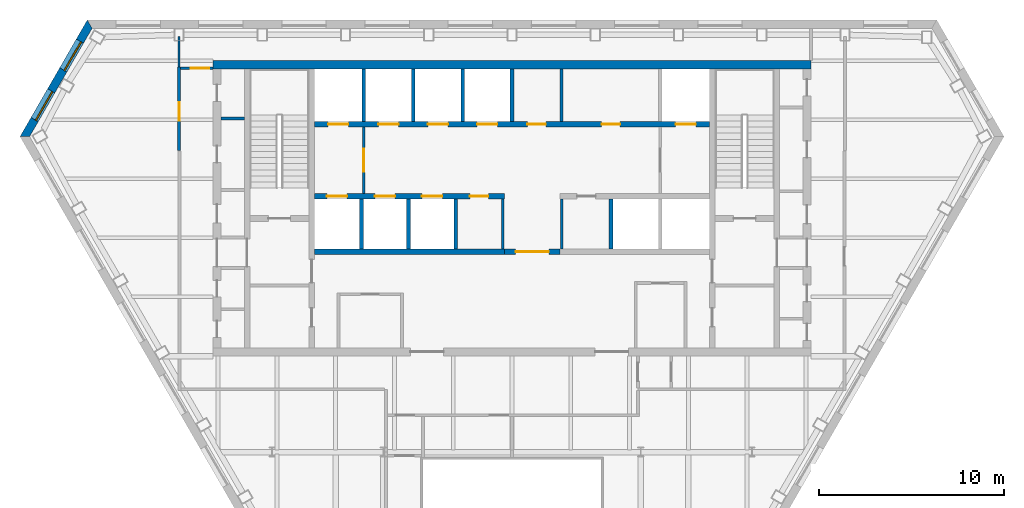
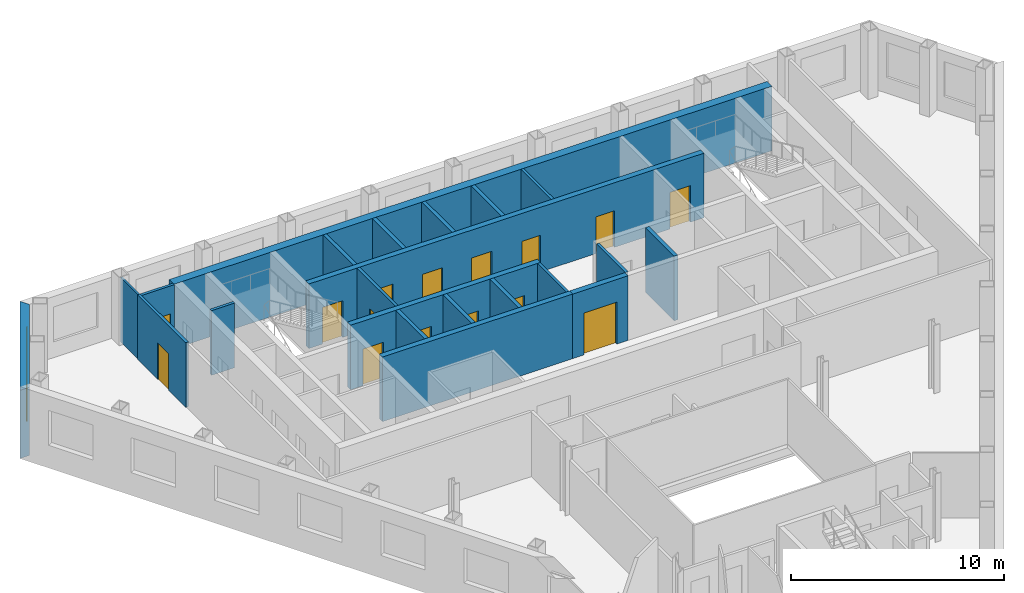
# One storey, part 6 of 11: 22 walls, 15 doors, 2 windows, 17 openings.
"""IFC4 building model written with IfcOpenShell, lengths in metres."""

from ifc_helpers import new_model, si_unit, direction, frame, frame_2d, origin, place, context, subcontext, project, spatial, polyline, rectangle, outline, extrude, material, layer, layer_set, type_object, element, fill, save


model = new_model("IFC4")

# Units and contexts
model_context = context("Model", 3, precision=1e-05, world=origin(), true_north=direction((0.0, 1.0)))
body_context = subcontext(model_context, "Body", "Model", "MODEL_VIEW")
ifc_project = project(units=[si_unit("LENGTHUNIT", "METRE"), si_unit("AREAUNIT", "SQUARE_METRE"), si_unit("VOLUMEUNIT", "CUBIC_METRE"), si_unit("PLANEANGLEUNIT", "RADIAN"), si_unit("MASSUNIT", "GRAM", prefix="KILO")], contexts=[model_context])

# Site, building, storey
site_placement = place(None, origin())
site = spatial("IfcSite", under=ifc_project, at=site_placement, CompositionType="ELEMENT")
building_placement = place(site_placement, origin())
building = spatial("IfcBuilding", under=site, at=building_placement, Name="Njiva Tower", CompositionType="ELEMENT")
storey_placement = place(building_placement, frame((0.0, 0.0, 212.1)))
storey = spatial("IfcBuildingStorey", under=building, at=storey_placement, Name="L47", CompositionType="ELEMENT", Elevation=212.1)

# Walls
ifc_material_1 = material(Name="Blockwork", Category="masonry")
ifc_layer_1 = layer(ifc_material_1, 0.15)
ifc_layer_set_1 = layer_set([ifc_layer_1], Name="Blockwork")
wall_type_1 = type_object("IfcWallType", Name="WT1 Compartment partition 150", PredefinedType="PARTITIONING", material=ifc_layer_set_1)
wall_1_placement = place(storey_placement, frame((2.675, 14.7, 0.0), z_axis=(0.0, 0.0, 1.0), x_axis=(0.0, 1.0, 0.0)))
element("IfcWall", 1, at=wall_1_placement, inside=storey, type_object=wall_type_1, Name="Partition CN5", PredefinedType="PARTITIONING", context=body_context, shape_type="SweptSolid", body=[
    extrude(rectangle(XDim=2.85, YDim=0.15, at=frame_2d((1.425, 0.0))), origin(), (0.0, 0.0, 1.0), 3.7),
])
for number, where, z_axis, x_axis, name in (
    (2, (-0.5, 7.8, 0.0), (0.0, 0.0, 1.0), (0.0, 1.0, 0.0), "Partition CS4"),
    (3, (2.7, 7.8, 0.0), (0.0, 0.0, 1.0), (0.0, 1.0, 0.0), "Partition CS5"),
):
    element("IfcWall", number, at=place(storey_placement, frame(where, z_axis=z_axis, x_axis=x_axis)), inside=storey, type_object=wall_type_1, Name=name, PredefinedType="PARTITIONING", context=body_context, shape_type="SweptSolid", body=[
        extrude(rectangle(XDim=2.7, YDim=0.15, at=frame_2d((1.35, 0.0))), origin(), (0.0, 0.0, 1.0), 3.7),
    ])
ifc_material_2 = material(Name="Concrete C60/75", Category="concrete")
ifc_layer_2 = layer(ifc_material_2, 0.45)
ifc_layer_set_2 = layer_set([ifc_layer_2], Name="Concrete C60/75")
wall_type_2 = type_object("IfcWallType", Name="WT12 Core wall 450", PredefinedType="SHEAR", material=ifc_layer_set_2)
wall_2_placement = place(storey_placement, frame((-16.2, 17.775, 0.0), z_axis=(0.0, 0.0, 1.0), x_axis=(1.0, 0.0, 0.0)))
element("IfcWall", 4, at=wall_2_placement, inside=storey, type_object=wall_type_2, Name="Core wall north", PredefinedType="SHEAR", context=body_context, shape_type="SweptSolid", body=[
    extrude(rectangle(XDim=32.4, YDim=0.45, at=frame_2d((16.2, 0.0))), origin(), (0.0, 0.0, 1.0), 3.7),
])

# Wall, opening, door
ifc_layer_3 = layer(ifc_material_1, 0.15)
ifc_layer_set_3 = layer_set([ifc_layer_3], Name="Blockwork")
wall_type_3 = type_object("IfcWallType", Name="WT2 Lobby partition 150", PredefinedType="PARTITIONING", material=ifc_layer_set_3)
wall_3_placement = place(storey_placement, frame((-8.025, 10.8, 0.0), z_axis=(0.0, 0.0, 1.0), x_axis=(0.0, 1.0, 0.0)))
wall_3 = element("IfcWall", 5, at=wall_3_placement, inside=storey, type_object=wall_type_3, Name="Firefighting lobby wall A", PredefinedType="PARTITIONING", context=body_context, shape_type="SweptSolid", body=[
    extrude(rectangle(XDim=3.6, YDim=0.15, at=frame_2d((1.8, 0.0))), origin(), (0.0, 0.0, 1.0), 3.7),
])
opening_1_placement = place(wall_3_placement, frame((1.175, 0.0, 0.0)))
opening_1 = element("IfcOpeningElement", 6, at=opening_1_placement, cuts=wall_3, Name="Opening S15-D913", PredefinedType="OPENING", context=body_context, shape_type="SweptSolid", body=[
    extrude(rectangle(XDim=1.25, YDim=2.1, at=frame_2d((0.625, 1.05))), frame((0.0, 0.085, 0.0), z_axis=(0.0, -1.0, 0.0), x_axis=(1.0, 0.0, 0.0)), (0.0, 0.0, 1.0), 0.17),
])
ifc_material_3 = material(Name="Glazed steel fire door", Category="steel")
door_type_1 = type_object("IfcDoorType", Name="D8 Vestibule corridor door 1250x2100 glazed", OperationType="SINGLE_SWING_LEFT", PredefinedType="DOOR", material=ifc_material_3)
door_1_placement = place(opening_1_placement, origin())
door_1 = element("IfcDoor", 7, at=door_1_placement, inside=storey, type_object=door_type_1, Name="Stair vestibule corridor door", OperationType="SINGLE_SWING_RIGHT", OverallHeight=2.1, OverallWidth=1.25, PredefinedType="DOOR", context=body_context, shape_type="SweptSolid", body=[
    extrude(rectangle(XDim=1.25, YDim=2.1, at=frame_2d((0.625, 1.05))), frame((0.0, 0.025, 0.0), z_axis=(0.0, -1.0, 0.0), x_axis=(1.0, 0.0, 0.0)), (0.0, 0.0, 1.0), 0.05),
])
fill(opening_1, door_1)

# Wall
ifc_material_4 = material(Name="Gypsum board on steel studs", Category="gypsum")
ifc_layer_4 = layer(ifc_material_4, 0.1)
ifc_layer_set_4 = layer_set([ifc_layer_4], Name="Gypsum board on steel studs")
wall_type_4 = type_object("IfcWallType", Name="WT20 Gypsum partition 100", PredefinedType="PARTITIONING", material=ifc_layer_set_4)
wall_4_placement = place(storey_placement, frame((-18.031, 17.657, 0.0), z_axis=(0.0, 0.0, 1.0), x_axis=(0.0, 1.0, 0.0)))
element("IfcWall", 8, at=wall_4_placement, inside=storey, type_object=wall_type_4, Name="Partition S15-P002", PredefinedType="PARTITIONING", context=body_context, shape_type="SweptSolid", body=[
    extrude(rectangle(XDim=1.643, YDim=0.1, at=frame_2d((0.8215, 0.0))), origin(), (0.0, 0.0, 1.0), 3.7),
])

# Wall, opening, door
ifc_layer_5 = layer(ifc_material_4, 0.15)
ifc_layer_set_5 = layer_set([ifc_layer_5], Name="Gypsum board on steel studs")
wall_type_5 = type_object("IfcWallType", Name="WT21 Compartment wall 150", PredefinedType="PARTITIONING", material=ifc_layer_set_5)
wall_5_placement = place(storey_placement, frame((-18.031, 13.123, 0.0), z_axis=(0.0, 0.0, 1.0), x_axis=(0.0, 1.0, 0.0)))
wall_5 = element("IfcWall", 9, at=wall_5_placement, inside=storey, type_object=wall_type_5, Name="Partition S15-P001", PredefinedType="PARTITIONING", context=body_context, shape_type="SweptSolid", body=[
    extrude(rectangle(XDim=4.534, YDim=0.15, at=frame_2d((2.267, 0.0))), origin(), (0.0, 0.0, 1.0), 3.7),
])
opening_2_placement = place(wall_5_placement, frame((1.633, 0.0, 0.0)))
opening_2 = element("IfcOpeningElement", 10, at=opening_2_placement, cuts=wall_5, Name="Opening S15-D001", PredefinedType="OPENING", context=body_context, shape_type="SweptSolid", body=[
    extrude(rectangle(XDim=1.0, YDim=2.1, at=frame_2d((0.5, 1.05))), frame((0.0, 0.085, 0.0), z_axis=(0.0, -1.0, 0.0), x_axis=(1.0, 0.0, 0.0)), (0.0, 0.0, 1.0), 0.17),
])
ifc_material_5 = material(Name="Steel fire door set", Category="steel")
door_type_2 = type_object("IfcDoorType", Name="D37 Fire door 1000x2100", OperationType="SINGLE_SWING_LEFT", PredefinedType="DOOR", material=ifc_material_5)
door_2_placement = place(opening_2_placement, origin())
door_2 = element("IfcDoor", 11, at=door_2_placement, inside=storey, type_object=door_type_2, Name="Door S15-D001", OperationType="SINGLE_SWING_RIGHT", OverallHeight=2.1, OverallWidth=1.0, PredefinedType="DOOR", context=body_context, shape_type="SweptSolid", body=[
    extrude(rectangle(XDim=1.0, YDim=2.1, at=frame_2d((0.5, 1.05))), frame((0.0, 0.025, 0.0), z_axis=(0.0, -1.0, 0.0), x_axis=(1.0, 0.0, 0.0)), (0.0, 0.0, 1.0), 0.05),
])
fill(opening_2, door_2)

wall_6_placement = place(storey_placement, frame((-17.956, 17.582, 0.0), z_axis=(0.0, 0.0, 1.0), x_axis=(1.0, 0.0, 0.0)))
wall_6 = element("IfcWall", 12, at=wall_6_placement, inside=storey, type_object=wall_type_5, Name="Partition S15-P004", PredefinedType="PARTITIONING", context=body_context, shape_type="SweptSolid", body=[
    extrude(rectangle(XDim=1.756, YDim=0.15, at=frame_2d((0.878, 0.0))), origin(), (0.0, 0.0, 1.0), 3.7),
])
opening_3_placement = place(wall_6_placement, frame((0.556, 0.0, 0.0)))
opening_3 = element("IfcOpeningElement", 13, at=opening_3_placement, cuts=wall_6, Name="Opening S15-D002", PredefinedType="OPENING", context=body_context, shape_type="SweptSolid", body=[
    extrude(rectangle(XDim=1.0, YDim=2.1, at=frame_2d((0.5, 1.05))), frame((0.0, 0.085, 0.0), z_axis=(0.0, -1.0, 0.0), x_axis=(1.0, 0.0, 0.0)), (0.0, 0.0, 1.0), 0.17),
])
door_3_placement = place(opening_3_placement, origin())
door_3 = element("IfcDoor", 14, at=door_3_placement, inside=storey, type_object=door_type_2, Name="Door S15-D002", OperationType="SINGLE_SWING_LEFT", OverallHeight=2.1, OverallWidth=1.0, PredefinedType="DOOR", context=body_context, shape_type="SweptSolid", body=[
    extrude(rectangle(XDim=1.0, YDim=2.1, at=frame_2d((0.5, 1.05))), frame((0.0, 0.025, 0.0), z_axis=(0.0, -1.0, 0.0), x_axis=(1.0, 0.0, 0.0)), (0.0, 0.0, 1.0), 0.05),
])
fill(opening_3, door_3)

# Wall
ifc_layer_6 = layer(ifc_material_1, 0.15)
ifc_layer_set_6 = layer_set([ifc_layer_6], Name="Blockwork")
wall_type_6 = type_object("IfcWallType", Name="WT3 Riser partition 150", PredefinedType="PARTITIONING", material=ifc_layer_set_6)
wall_7_placement = place(storey_placement, frame((-15.75, 14.8686, 0.0), z_axis=(0.0, 0.0, 1.0), x_axis=(1.0, 0.0, 0.0)))
element("IfcWall", 15, at=wall_7_placement, inside=storey, type_object=wall_type_6, Name="Partition strip W11", PredefinedType="PARTITIONING", context=body_context, shape_type="SweptSolid", body=[
    extrude(rectangle(XDim=1.25, YDim=0.15, at=frame_2d((0.625, 0.0))), origin(), (0.0, 0.0, 1.0), 3.7),
])

# Wall, opening, door
ifc_layer_7 = layer(ifc_material_1, 0.3)
ifc_layer_set_7 = layer_set([ifc_layer_7], Name="Blockwork")
wall_type_7 = type_object("IfcWallType", Name="WT5 Lobby partition 300", PredefinedType="PARTITIONING", material=ifc_layer_set_7)
wall_8_placement = place(storey_placement, frame((-0.4, 7.65, 0.0), z_axis=(0.0, 0.0, 1.0), x_axis=(1.0, 0.0, 0.0)))
wall_8 = element("IfcWall", 16, at=wall_8_placement, inside=storey, type_object=wall_type_7, Name="Lift lobby screen wall", PredefinedType="PARTITIONING", context=body_context, shape_type="SweptSolid", body=[
    extrude(rectangle(XDim=3.0, YDim=0.3, at=frame_2d((1.5, 0.0))), origin(), (0.0, 0.0, 1.0), 3.7),
])
opening_4_placement = place(wall_8_placement, frame((0.6, 0.0, 0.0)))
opening_4 = element("IfcOpeningElement", 17, at=opening_4_placement, cuts=wall_8, Name="Opening S15-D937", PredefinedType="OPENING", context=body_context, shape_type="SweptSolid", body=[
    extrude(rectangle(XDim=1.8, YDim=2.4, at=frame_2d((0.9, 1.2))), frame((0.0, 0.16, 0.0), z_axis=(0.0, -1.0, 0.0), x_axis=(1.0, 0.0, 0.0)), (0.0, 0.0, 1.0), 0.32),
])
ifc_material_6 = material(Name="Steel and glass door", Category="steel")
door_type_3 = type_object("IfcDoorType", Name="D3 Core entrance door 1800x2400", OperationType="DOUBLE_DOOR_SINGLE_SWING", PredefinedType="DOOR", material=ifc_material_6)
door_4_placement = place(opening_4_placement, origin())
door_4 = element("IfcDoor", 18, at=door_4_placement, inside=storey, type_object=door_type_3, Name="Core entrance door", OperationType="DOUBLE_DOOR_SINGLE_SWING", OverallHeight=2.4, OverallWidth=1.8, PredefinedType="DOOR", context=body_context, shape_type="SweptSolid", body=[
    extrude(rectangle(XDim=1.8, YDim=2.4, at=frame_2d((0.9, 1.2))), frame((0.0, 0.025, 0.0), z_axis=(0.0, -1.0, 0.0), x_axis=(1.0, 0.0, 0.0)), (0.0, 0.0, 1.0), 0.05),
])
fill(opening_4, door_4)

# Walls
ifc_material_7 = material(Name="Concrete C40/50", Category="concrete")
ifc_layer_8 = layer(ifc_material_7, 0.2)
ifc_layer_set_8 = layer_set([ifc_layer_8], Name="Concrete C40/50")
wall_type_8 = type_object("IfcWallType", Name="WT6 Lift shaft wall 200", PredefinedType="SHEAR", material=ifc_layer_set_8)
for number, where, z_axis, x_axis, name in (
    (19, (-8.025, 14.7, 0.0), (0.0, 0.0, 1.0), (0.0, 1.0, 0.0), "Shaft wall CN1"),
    (20, (-5.35, 14.7, 0.0), (0.0, 0.0, 1.0), (0.0, 1.0, 0.0), "Shaft wall CN2"),
    (21, (-2.675, 14.7, 0.0), (0.0, 0.0, 1.0), (0.0, 1.0, 0.0), "Shaft wall CN3"),
    (22, (0.0, 14.7, 0.0), (0.0, 0.0, 1.0), (0.0, 1.0, 0.0), "Shaft wall CN4"),
):
    element("IfcWall", number, at=place(storey_placement, frame(where, z_axis=z_axis, x_axis=x_axis)), inside=storey, type_object=wall_type_8, Name=name, PredefinedType="SHEAR", context=body_context, shape_type="SweptSolid", body=[
        extrude(rectangle(XDim=2.85, YDim=0.2, at=frame_2d((1.425, 0.0))), origin(), (0.0, 0.0, 1.0), 3.7),
    ])
for number, where, z_axis, x_axis, name in (
    (23, (-8.15, 7.8, 0.0), (0.0, 0.0, 1.0), (0.0, 1.0, 0.0), "Shaft wall CS1"),
    (24, (-5.6, 7.8, 0.0), (0.0, 0.0, 1.0), (0.0, 1.0, 0.0), "Shaft wall CS2"),
    (25, (-3.05, 7.8, 0.0), (0.0, 0.0, 1.0), (0.0, 1.0, 0.0), "Shaft wall CS3"),
    (26, (5.3667, 7.8, 0.0), (0.0, 0.0, 1.0), (0.0, 1.0, 0.0), "Shaft wall CS6"),
):
    element("IfcWall", number, at=place(storey_placement, frame(where, z_axis=z_axis, x_axis=x_axis)), inside=storey, type_object=wall_type_8, Name=name, PredefinedType="SHEAR", context=body_context, shape_type="SweptSolid", body=[
        extrude(rectangle(XDim=2.7, YDim=0.2, at=frame_2d((1.35, 0.0))), origin(), (0.0, 0.0, 1.0), 3.7),
    ])

# Wall, openings, doors
ifc_layer_9 = layer(ifc_material_7, 0.3)
ifc_layer_set_9 = layer_set([ifc_layer_9], Name="Concrete C40/50")
wall_type_9 = type_object("IfcWallType", Name="WT7 Lift shaft wall 300", PredefinedType="SHEAR", material=ifc_layer_set_9)
wall_9_placement = place(storey_placement, frame((-10.7, 14.55, 0.0), z_axis=(0.0, 0.0, 1.0), x_axis=(1.0, 0.0, 0.0)))
wall_9 = element("IfcWall", 27, at=wall_9_placement, inside=storey, type_object=wall_type_9, Name="Shaft wall north row lobby side", PredefinedType="SHEAR", context=body_context, shape_type="SweptSolid", body=[
    extrude(rectangle(XDim=21.4, YDim=0.3, at=frame_2d((10.7, 0.0))), origin(), (0.0, 0.0, 1.0), 3.7),
])
opening_5_placement = place(wall_9_placement, frame((0.7375, 0.0, 0.0)))
opening_5 = element("IfcOpeningElement", 28, at=opening_5_placement, cuts=wall_9, Name="Opening S15-D901", PredefinedType="OPENING", context=body_context, shape_type="SweptSolid", body=[
    extrude(rectangle(XDim=1.1, YDim=2.1, at=frame_2d((0.55, 1.05))), frame((0.0, 0.16, 0.0), z_axis=(0.0, -1.0, 0.0), x_axis=(1.0, 0.0, 0.0)), (0.0, 0.0, 1.0), 0.32),
])
opening_6_placement = place(wall_9_placement, frame((3.4625, 0.0, 0.0)))
opening_6 = element("IfcOpeningElement", 29, at=opening_6_placement, cuts=wall_9, Name="Opening S15-D902", PredefinedType="OPENING", context=body_context, shape_type="SweptSolid", body=[
    extrude(rectangle(XDim=1.1, YDim=2.1, at=frame_2d((0.55, 1.05))), frame((0.0, 0.16, 0.0), z_axis=(0.0, -1.0, 0.0), x_axis=(1.0, 0.0, 0.0)), (0.0, 0.0, 1.0), 0.32),
])
opening_7_placement = place(wall_9_placement, frame((6.1375, 0.0, 0.0)))
opening_7 = element("IfcOpeningElement", 30, at=opening_7_placement, cuts=wall_9, Name="Opening S15-D903", PredefinedType="OPENING", context=body_context, shape_type="SweptSolid", body=[
    extrude(rectangle(XDim=1.1, YDim=2.1, at=frame_2d((0.55, 1.05))), frame((0.0, 0.16, 0.0), z_axis=(0.0, -1.0, 0.0), x_axis=(1.0, 0.0, 0.0)), (0.0, 0.0, 1.0), 0.32),
])
opening_8_placement = place(wall_9_placement, frame((8.8125, 0.0, 0.0)))
opening_8 = element("IfcOpeningElement", 31, at=opening_8_placement, cuts=wall_9, Name="Opening S15-D904", PredefinedType="OPENING", context=body_context, shape_type="SweptSolid", body=[
    extrude(rectangle(XDim=1.1, YDim=2.1, at=frame_2d((0.55, 1.05))), frame((0.0, 0.16, 0.0), z_axis=(0.0, -1.0, 0.0), x_axis=(1.0, 0.0, 0.0)), (0.0, 0.0, 1.0), 0.32),
])
opening_9_placement = place(wall_9_placement, frame((19.5625, 0.0, 0.0)))
opening_9 = element("IfcOpeningElement", 32, at=opening_9_placement, cuts=wall_9, Name="Opening S15-D905", PredefinedType="OPENING", context=body_context, shape_type="SweptSolid", body=[
    extrude(rectangle(XDim=1.1, YDim=2.1, at=frame_2d((0.55, 1.05))), frame((0.0, 0.16, 0.0), z_axis=(0.0, -1.0, 0.0), x_axis=(1.0, 0.0, 0.0)), (0.0, 0.0, 1.0), 0.32),
])
opening_10_placement = place(wall_9_placement, frame((11.5375, 0.0, 0.0)))
opening_10 = element("IfcOpeningElement", 33, at=opening_10_placement, cuts=wall_9, Name="Opening S15-D909", PredefinedType="OPENING", context=body_context, shape_type="SweptSolid", body=[
    extrude(rectangle(XDim=1.0, YDim=2.1, at=frame_2d((0.5, 1.05))), frame((0.0, 0.16, 0.0), z_axis=(0.0, -1.0, 0.0), x_axis=(1.0, 0.0, 0.0)), (0.0, 0.0, 1.0), 0.32),
])
opening_11_placement = place(wall_9_placement, frame((15.55, 0.0, 0.0)))
opening_11 = element("IfcOpeningElement", 34, at=opening_11_placement, cuts=wall_9, Name="Opening S15-D910", PredefinedType="OPENING", context=body_context, shape_type="SweptSolid", body=[
    extrude(rectangle(XDim=1.0, YDim=2.1, at=frame_2d((0.5, 1.05))), frame((0.0, 0.16, 0.0), z_axis=(0.0, -1.0, 0.0), x_axis=(1.0, 0.0, 0.0)), (0.0, 0.0, 1.0), 0.32),
])
ifc_material_8 = material(Name="Steel door, painted", Category="steel")
door_type_4 = type_object("IfcDoorType", Name="D5 Steel door 1000x2100", OperationType="SINGLE_SWING_LEFT", PredefinedType="DOOR", material=ifc_material_8)
door_5_placement = place(opening_10_placement, origin())
door_5 = element("IfcDoor", 35, at=door_5_placement, inside=storey, type_object=door_type_4, Name="Breakout room door", OperationType="SINGLE_SWING_LEFT", OverallHeight=2.1, OverallWidth=1.0, PredefinedType="DOOR", context=body_context, shape_type="SweptSolid", body=[
    extrude(rectangle(XDim=1.0, YDim=2.1, at=frame_2d((0.5, 1.05))), frame((0.0, 0.025, 0.0), z_axis=(0.0, -1.0, 0.0), x_axis=(1.0, 0.0, 0.0)), (0.0, 0.0, 1.0), 0.05),
])
fill(opening_10, door_5)
door_6_placement = place(opening_11_placement, origin())
door_6 = element("IfcDoor", 36, at=door_6_placement, inside=storey, type_object=door_type_4, Name="Reading room door", OperationType="SINGLE_SWING_LEFT", OverallHeight=2.1, OverallWidth=1.0, PredefinedType="DOOR", context=body_context, shape_type="SweptSolid", body=[
    extrude(rectangle(XDim=1.0, YDim=2.1, at=frame_2d((0.5, 1.05))), frame((0.0, 0.025, 0.0), z_axis=(0.0, -1.0, 0.0), x_axis=(1.0, 0.0, 0.0)), (0.0, 0.0, 1.0), 0.05),
])
fill(opening_11, door_6)
ifc_material_9 = material(Name="Stainless steel sliding door", Category="steel")
door_type_5 = type_object("IfcDoorType", Name="LD Lift landing door 1100x2100", OperationType="SLIDING_TO_LEFT", PredefinedType="DOOR", material=ifc_material_9)
door_7_placement = place(opening_5_placement, origin())
door_7 = element("IfcDoor", 37, at=door_7_placement, inside=storey, type_object=door_type_5, Name="Lift landing door FF1", OperationType="SLIDING_TO_LEFT", OverallHeight=2.1, OverallWidth=1.1, PredefinedType="DOOR", context=body_context, shape_type="SweptSolid", body=[
    extrude(rectangle(XDim=1.1, YDim=2.1, at=frame_2d((0.55, 1.05))), frame((0.0, 0.025, 0.0), z_axis=(0.0, -1.0, 0.0), x_axis=(1.0, 0.0, 0.0)), (0.0, 0.0, 1.0), 0.05),
])
fill(opening_5, door_7)
door_8_placement = place(opening_6_placement, origin())
door_8 = element("IfcDoor", 38, at=door_8_placement, inside=storey, type_object=door_type_5, Name="Lift landing door MB4", OperationType="SLIDING_TO_LEFT", OverallHeight=2.1, OverallWidth=1.1, PredefinedType="DOOR", context=body_context, shape_type="SweptSolid", body=[
    extrude(rectangle(XDim=1.1, YDim=2.1, at=frame_2d((0.55, 1.05))), frame((0.0, 0.025, 0.0), z_axis=(0.0, -1.0, 0.0), x_axis=(1.0, 0.0, 0.0)), (0.0, 0.0, 1.0), 0.05),
])
fill(opening_6, door_8)
door_9_placement = place(opening_7_placement, origin())
door_9 = element("IfcDoor", 39, at=door_9_placement, inside=storey, type_object=door_type_5, Name="Lift landing door MB5", OperationType="SLIDING_TO_LEFT", OverallHeight=2.1, OverallWidth=1.1, PredefinedType="DOOR", context=body_context, shape_type="SweptSolid", body=[
    extrude(rectangle(XDim=1.1, YDim=2.1, at=frame_2d((0.55, 1.05))), frame((0.0, 0.025, 0.0), z_axis=(0.0, -1.0, 0.0), x_axis=(1.0, 0.0, 0.0)), (0.0, 0.0, 1.0), 0.05),
])
fill(opening_7, door_9)
door_10_placement = place(opening_8_placement, origin())
door_10 = element("IfcDoor", 40, at=door_10_placement, inside=storey, type_object=door_type_5, Name="Lift landing door MB6", OperationType="SLIDING_TO_LEFT", OverallHeight=2.1, OverallWidth=1.1, PredefinedType="DOOR", context=body_context, shape_type="SweptSolid", body=[
    extrude(rectangle(XDim=1.1, YDim=2.1, at=frame_2d((0.55, 1.05))), frame((0.0, 0.025, 0.0), z_axis=(0.0, -1.0, 0.0), x_axis=(1.0, 0.0, 0.0)), (0.0, 0.0, 1.0), 0.05),
])
fill(opening_8, door_10)
door_11_placement = place(opening_9_placement, origin())
door_11 = element("IfcDoor", 41, at=door_11_placement, inside=storey, type_object=door_type_5, Name="Lift landing door FF2", OperationType="SLIDING_TO_LEFT", OverallHeight=2.1, OverallWidth=1.1, PredefinedType="DOOR", context=body_context, shape_type="SweptSolid", body=[
    extrude(rectangle(XDim=1.1, YDim=2.1, at=frame_2d((0.55, 1.05))), frame((0.0, 0.025, 0.0), z_axis=(0.0, -1.0, 0.0), x_axis=(1.0, 0.0, 0.0)), (0.0, 0.0, 1.0), 0.05),
])
fill(opening_9, door_11)

wall_10_placement = place(storey_placement, frame((-10.7, 10.65, 0.0), z_axis=(0.0, 0.0, 1.0), x_axis=(1.0, 0.0, 0.0)))
wall_10 = element("IfcWall", 42, at=wall_10_placement, inside=storey, type_object=wall_type_9, Name="Shaft wall south row lobby side W", PredefinedType="SHEAR", context=body_context, shape_type="SweptSolid", body=[
    extrude(rectangle(XDim=10.3, YDim=0.3, at=frame_2d((5.15, 0.0))), origin(), (0.0, 0.0, 1.0), 3.7),
])
opening_12_placement = place(wall_10_placement, frame((0.675, 0.0, 0.0)))
opening_12 = element("IfcOpeningElement", 43, at=opening_12_placement, cuts=wall_10, Name="Opening S15-D906", PredefinedType="OPENING", context=body_context, shape_type="SweptSolid", body=[
    extrude(rectangle(XDim=1.1, YDim=2.1, at=frame_2d((0.55, 1.05))), frame((0.0, 0.16, 0.0), z_axis=(0.0, -1.0, 0.0), x_axis=(1.0, 0.0, 0.0)), (0.0, 0.0, 1.0), 0.32),
])
opening_13_placement = place(wall_10_placement, frame((3.275, 0.0, 0.0)))
opening_13 = element("IfcOpeningElement", 44, at=opening_13_placement, cuts=wall_10, Name="Opening S15-D907", PredefinedType="OPENING", context=body_context, shape_type="SweptSolid", body=[
    extrude(rectangle(XDim=1.1, YDim=2.1, at=frame_2d((0.55, 1.05))), frame((0.0, 0.16, 0.0), z_axis=(0.0, -1.0, 0.0), x_axis=(1.0, 0.0, 0.0)), (0.0, 0.0, 1.0), 0.32),
])
opening_14_placement = place(wall_10_placement, frame((5.825, 0.0, 0.0)))
opening_14 = element("IfcOpeningElement", 45, at=opening_14_placement, cuts=wall_10, Name="Opening S15-D908", PredefinedType="OPENING", context=body_context, shape_type="SweptSolid", body=[
    extrude(rectangle(XDim=1.1, YDim=2.1, at=frame_2d((0.55, 1.05))), frame((0.0, 0.16, 0.0), z_axis=(0.0, -1.0, 0.0), x_axis=(1.0, 0.0, 0.0)), (0.0, 0.0, 1.0), 0.32),
])
opening_15_placement = place(wall_10_placement, frame((8.425, 0.0, 0.0)))
opening_15 = element("IfcOpeningElement", 46, at=opening_15_placement, cuts=wall_10, Name="Opening S15-D911", PredefinedType="OPENING", context=body_context, shape_type="SweptSolid", body=[
    extrude(rectangle(XDim=1.0, YDim=2.1, at=frame_2d((0.5, 1.05))), frame((0.0, 0.16, 0.0), z_axis=(0.0, -1.0, 0.0), x_axis=(1.0, 0.0, 0.0)), (0.0, 0.0, 1.0), 0.32),
])
door_12_placement = place(opening_15_placement, origin())
door_12 = element("IfcDoor", 47, at=door_12_placement, inside=storey, type_object=door_type_4, Name="Quiet room door", OperationType="SINGLE_SWING_RIGHT", OverallHeight=2.1, OverallWidth=1.0, PredefinedType="DOOR", context=body_context, shape_type="SweptSolid", body=[
    extrude(rectangle(XDim=1.0, YDim=2.1, at=frame_2d((0.5, 1.05))), frame((0.0, 0.025, 0.0), z_axis=(0.0, -1.0, 0.0), x_axis=(1.0, 0.0, 0.0)), (0.0, 0.0, 1.0), 0.05),
])
fill(opening_15, door_12)
door_13_placement = place(opening_12_placement, origin())
door_13 = element("IfcDoor", 48, at=door_13_placement, inside=storey, type_object=door_type_5, Name="Lift landing door MB1", OperationType="SLIDING_TO_LEFT", OverallHeight=2.1, OverallWidth=1.1, PredefinedType="DOOR", context=body_context, shape_type="SweptSolid", body=[
    extrude(rectangle(XDim=1.1, YDim=2.1, at=frame_2d((0.55, 1.05))), frame((0.0, 0.025, 0.0), z_axis=(0.0, -1.0, 0.0), x_axis=(1.0, 0.0, 0.0)), (0.0, 0.0, 1.0), 0.05),
])
fill(opening_12, door_13)
door_14_placement = place(opening_13_placement, origin())
door_14 = element("IfcDoor", 49, at=door_14_placement, inside=storey, type_object=door_type_5, Name="Lift landing door MB2", OperationType="SLIDING_TO_LEFT", OverallHeight=2.1, OverallWidth=1.1, PredefinedType="DOOR", context=body_context, shape_type="SweptSolid", body=[
    extrude(rectangle(XDim=1.1, YDim=2.1, at=frame_2d((0.55, 1.05))), frame((0.0, 0.025, 0.0), z_axis=(0.0, -1.0, 0.0), x_axis=(1.0, 0.0, 0.0)), (0.0, 0.0, 1.0), 0.05),
])
fill(opening_13, door_14)
door_15_placement = place(opening_14_placement, origin())
door_15 = element("IfcDoor", 50, at=door_15_placement, inside=storey, type_object=door_type_5, Name="Lift landing door MB3", OperationType="SLIDING_TO_LEFT", OverallHeight=2.1, OverallWidth=1.1, PredefinedType="DOOR", context=body_context, shape_type="SweptSolid", body=[
    extrude(rectangle(XDim=1.1, YDim=2.1, at=frame_2d((0.55, 1.05))), frame((0.0, 0.025, 0.0), z_axis=(0.0, -1.0, 0.0), x_axis=(1.0, 0.0, 0.0)), (0.0, 0.0, 1.0), 0.05),
])
fill(opening_14, door_15)

# Wall
wall_11_placement = place(storey_placement, frame((-10.7, 7.65, 0.0), z_axis=(0.0, 0.0, 1.0), x_axis=(1.0, 0.0, 0.0)))
element("IfcWall", 51, at=wall_11_placement, inside=storey, type_object=wall_type_9, Name="Shaft wall south row back W", PredefinedType="SHEAR", context=body_context, shape_type="SweptSolid", body=[
    extrude(rectangle(XDim=10.3, YDim=0.3, at=frame_2d((5.15, 0.0))), origin(), (0.0, 0.0, 1.0), 3.7),
])

# Wall, openings, windows
ifc_material_10 = material(Name="Brick masonry, buff", Category="masonry")
ifc_layer_10 = layer(ifc_material_10, 0.45)
ifc_layer_set_10 = layer_set([ifc_layer_10], Name="Brick masonry, buff")
wall_type_10 = type_object("IfcWallType", Name="WT94 Brick pier and spandrel wall 450, buff", PredefinedType="SOLIDWALL", material=ifc_layer_set_10)
wall_12_placement = place(storey_placement, frame((-22.8701, 19.975, -0.4), z_axis=(0.0, 0.0, 1.0), x_axis=(-0.500001958282, -0.866024273167, 0.0)))
wall_12 = element("IfcWall", 52, at=wall_12_placement, inside=storey, type_object=wall_type_10, Name="Facade wall NW", PredefinedType="SOLIDWALL", context=body_context, shape_type="SweptSolid", body=[
    extrude(outline(polyline([(-0.1299, -0.225), (7.1601, -0.225), (6.9003, 0.225), (0.1299, 0.225), (-0.1299, -0.225)])), origin(), (0.0, 0.0, 1.0), 3.9),
])
opening_16_placement = place(wall_12_placement, frame((1.0619, 0.0, 1.3)))
opening_16 = element("IfcOpeningElement", 53, at=opening_16_placement, cuts=wall_12, Name="Opening S15-W10", PredefinedType="OPENING", context=body_context, shape_type="SweptSolid", body=[
    extrude(rectangle(XDim=1.8, YDim=2.0, at=frame_2d((0.9, 1.0))), frame((0.0, 0.235, 0.0), z_axis=(0.0, -1.0, 0.0), x_axis=(1.0, 0.0, 0.0)), (0.0, 0.0, 1.0), 0.47),
])
opening_17_placement = place(wall_12_placement, frame((4.1682, 0.0, 1.3)))
opening_17 = element("IfcOpeningElement", 54, at=opening_17_placement, cuts=wall_12, Name="Opening S15-W11", PredefinedType="OPENING", context=body_context, shape_type="SweptSolid", body=[
    extrude(rectangle(XDim=1.8, YDim=2.0, at=frame_2d((0.9, 1.0))), frame((0.0, 0.235, 0.0), z_axis=(0.0, -1.0, 0.0), x_axis=(1.0, 0.0, 0.0)), (0.0, 0.0, 1.0), 0.47),
])
ifc_material_11 = material(Name="Clear glazing in aluminium frame", Category="aluminium")
window_type = type_object("IfcWindowType", Name="W94 Deep-set window 1800x2000", PartitioningType="SINGLE_PANEL", PredefinedType="WINDOW", material=ifc_material_11)
window_1_placement = place(opening_16_placement, origin())
window_1 = element("IfcWindow", 55, at=window_1_placement, inside=storey, type_object=window_type, Name="Window", OverallHeight=2.0, OverallWidth=1.8, PartitioningType="SINGLE_PANEL", PredefinedType="WINDOW", context=body_context, shape_type="SweptSolid", body=[
    extrude(rectangle(XDim=1.8, YDim=2.0, at=frame_2d((0.9, 1.0))), frame((0.0, 0.105, 0.0), z_axis=(0.0, -1.0, 0.0), x_axis=(1.0, 0.0, 0.0)), (0.0, 0.0, 1.0), 0.06),
])
fill(opening_16, window_1)
window_2_placement = place(opening_17_placement, origin())
window_2 = element("IfcWindow", 56, at=window_2_placement, inside=storey, type_object=window_type, Name="Window", OverallHeight=2.0, OverallWidth=1.8, PartitioningType="SINGLE_PANEL", PredefinedType="WINDOW", context=body_context, shape_type="SweptSolid", body=[
    extrude(rectangle(XDim=1.8, YDim=2.0, at=frame_2d((0.9, 1.0))), frame((0.0, 0.105, 0.0), z_axis=(0.0, -1.0, 0.0), x_axis=(1.0, 0.0, 0.0)), (0.0, 0.0, 1.0), 0.06),
])
fill(opening_17, window_2)

save(model, "model.ifc")
